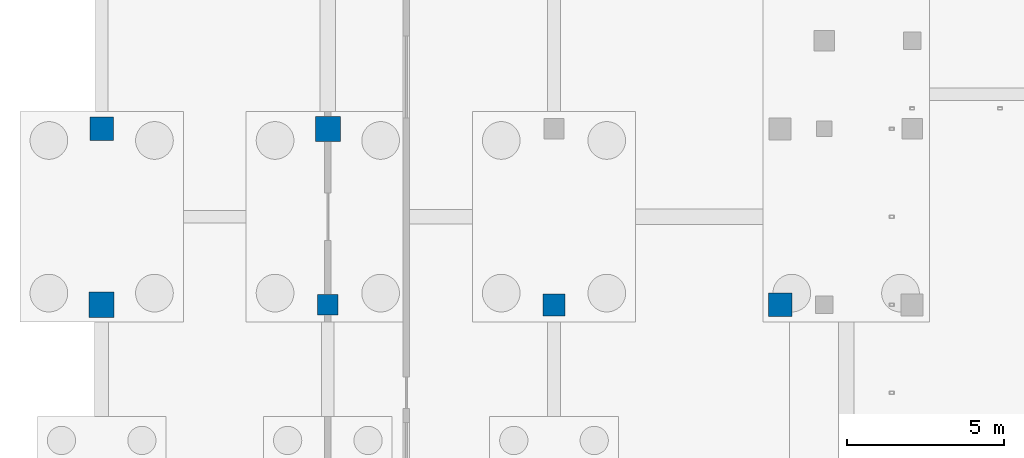
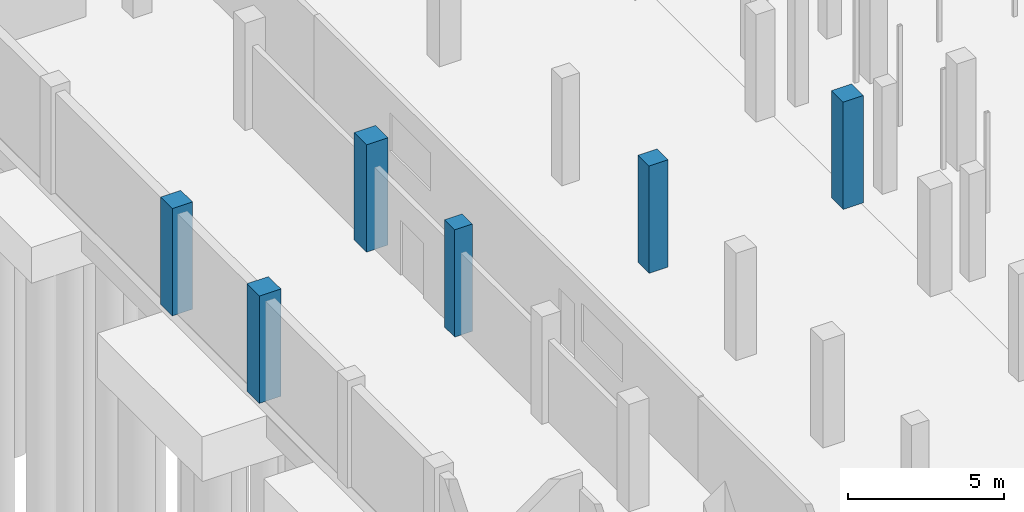
# One storey, part 14 of 34: 6 columns.
"""IFC4 building model written with IfcOpenShell, lengths in metres."""

from ifc_helpers import new_model, si_unit, direction, frame, origin, origin_2d, place, context, subcontext, project, spatial, rectangle, extrude, material, material_profile, profile_set, type_object, element, save


model = new_model("IFC4")

# Units and contexts
model_context = context("Model", 3, precision=1e-05, world=origin(), true_north=direction((0.0, 1.0)))
body_context = subcontext(model_context, "Body", "Model", "MODEL_VIEW")
ifc_project = project(units=[si_unit("LENGTHUNIT", "METRE"), si_unit("AREAUNIT", "SQUARE_METRE"), si_unit("VOLUMEUNIT", "CUBIC_METRE"), si_unit("PLANEANGLEUNIT", "RADIAN"), si_unit("MASSUNIT", "GRAM", prefix="KILO")], contexts=[model_context])

# Site, building, storey
site_placement = place(None, origin())
site = spatial("IfcSite", under=ifc_project, at=site_placement, CompositionType="ELEMENT")
building_placement = place(site_placement, origin())
building = spatial("IfcBuilding", under=site, at=building_placement, Name="Vinh Khe Railworks Police Headquarters", CompositionType="ELEMENT")
storey_placement = place(building_placement, frame((0.0, 0.0, -4.199951171875)))
storey = spatial("IfcBuildingStorey", under=building, at=storey_placement, Name="B1", CompositionType="ELEMENT", Elevation=-4.199951171875)

# Columns
ifc_material = material(Name="Concrete C40/50 (B40)", Category="concrete")
ifc_material_profile_1 = material_profile(ifc_material, rectangle(XDim=0.64990234375, YDim=0.64990234375, at=origin_2d()), Name="RC 650x650")
ifc_profile_set_1 = profile_set([ifc_material_profile_1], Name="Concrete C40/50 (B40)")
column_type_1 = type_object("IfcColumnType", Name="RC Column RC 650x650", PredefinedType="COLUMN", material=ifc_profile_set_1)
column_1_placement = place(storey_placement, frame((7.800048828125, 53.199951171875, 0.0), z_axis=(0.0, 0.0, 1.0), x_axis=(1.0, 0.0, 0.0)))
element("IfcColumn", 1, at=column_1_placement, inside=storey, type_object=column_type_1, Name="Column COL-B1-CC-04-0234", PredefinedType="COLUMN", context=body_context, shape_type="SweptSolid", body=[
    extrude(rectangle(XDim=0.64990234375, YDim=0.64990234375, at=origin_2d()), origin(), (0.0, 0.0, 1.0), 4.199951171875),
])
ifc_material_profile_2 = material_profile(ifc_material, rectangle(XDim=0.699951171875, YDim=0.699951171875, at=origin_2d()), Name="RC 700x700")
ifc_profile_set_2 = profile_set([ifc_material_profile_2], Name="Concrete C40/50 (B40)")
column_type_2 = type_object("IfcColumnType", Name="RC Column RC 700x700", PredefinedType="COLUMN", material=ifc_profile_set_2)
column_2_placement = place(storey_placement, frame((15.0, 53.199951171875, 0.0), z_axis=(0.0, 0.0, 1.0), x_axis=(1.0, 0.0, 0.0)))
element("IfcColumn", 2, at=column_2_placement, inside=storey, type_object=column_type_2, Name="Column COL-B1-CC-03-0401", PredefinedType="COLUMN", context=body_context, shape_type="SweptSolid", body=[
    extrude(rectangle(XDim=0.699951171875, YDim=0.699951171875, at=origin_2d()), origin(), (0.0, 0.0, 1.0), 4.199951171875),
])
ifc_material_profile_3 = material_profile(ifc_material, rectangle(XDim=0.75, YDim=0.75, at=origin_2d()), Name="RC 750x750")
ifc_profile_set_3 = profile_set([ifc_material_profile_3], Name="Concrete C40/50 (B40)")
column_type_3 = type_object("IfcColumnType", Name="RC Column RC 750x750", PredefinedType="COLUMN", material=ifc_profile_set_3)
for number, where, z_axis, x_axis, name in (
    (3, (0.60009765625, 58.800048828125, 0.0), (0.0, 0.0, 1.0), (1.0, 0.0, 0.0), "Column COL-B1-CC-02-0077"),
    (4, (22.199951171875, 53.199951171875, 0.0), (0.0, 0.0, 1.0), (1.0, 0.0, 0.0), "Column COL-B1-CC-02-0562"),
):
    element("IfcColumn", number, at=place(storey_placement, frame(where, z_axis=z_axis, x_axis=x_axis)), inside=storey, type_object=column_type_3, Name=name, PredefinedType="COLUMN", context=body_context, shape_type="SweptSolid", body=[
        extrude(rectangle(XDim=0.75, YDim=0.75, at=origin_2d()), origin(), (0.0, 0.0, 1.0), 4.199951171875),
    ])
ifc_material_profile_4 = material_profile(ifc_material, rectangle(XDim=0.800048828125, YDim=0.800048828125, at=origin_2d()), Name="RC 800x800")
ifc_profile_set_4 = profile_set([ifc_material_profile_4], Name="Concrete C40/50 (B40)")
column_type_4 = type_object("IfcColumnType", Name="RC Column RC 800x800", PredefinedType="COLUMN", material=ifc_profile_set_4)
for number, where, z_axis, x_axis, name in (
    (5, (0.60009765625, 53.199951171875, 0.0), (0.0, 0.0, 1.0), (1.0, 0.0, 0.0), "Column COL-B1-CC-01-0067"),
    (6, (7.800048828125, 58.800048828125, 0.0), (0.0, 0.0, 1.0), (1.0, 0.0, 0.0), "Column COL-B1-CC-01-0244"),
):
    element("IfcColumn", number, at=place(storey_placement, frame(where, z_axis=z_axis, x_axis=x_axis)), inside=storey, type_object=column_type_4, Name=name, PredefinedType="COLUMN", context=body_context, shape_type="SweptSolid", body=[
        extrude(rectangle(XDim=0.800048828125, YDim=0.800048828125, at=origin_2d()), origin(), (0.0, 0.0, 1.0), 4.199951171875),
    ])

save(model, "model.ifc")
